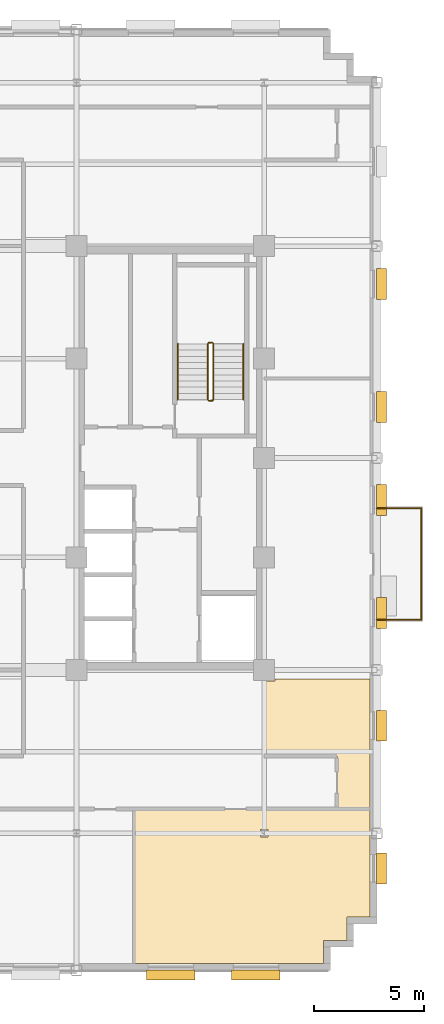
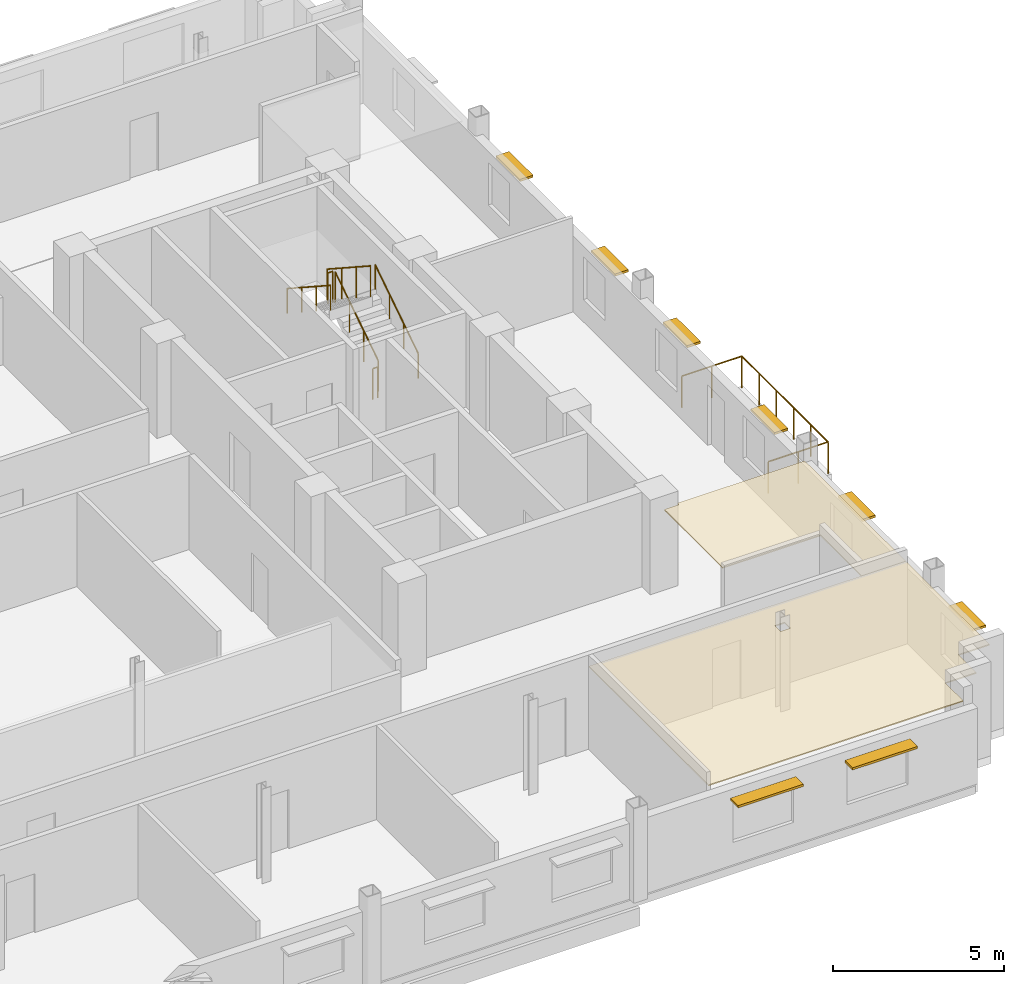
# One storey, part 14 of 15: 8 shading devices, 7 railings, 2 coverings.
"""IFC4 building model written with IfcOpenShell, lengths in metres."""

from ifc_helpers import new_model, si_unit, direction, frame, origin, origin_2d, place, context, subcontext, project, spatial, polyline, rectangle, circle, outline, extrude, source, transform, mapped, material, layer, layer_set, type_object, type_shapes, element, save


model = new_model("IFC4")

# Units and contexts
model_context = context("Model", 3, precision=1e-05, world=origin(), true_north=direction((0.0, 1.0)))
body_context = subcontext(model_context, "Body", "Model", "MODEL_VIEW")
ifc_project = project(units=[si_unit("LENGTHUNIT", "METRE"), si_unit("AREAUNIT", "SQUARE_METRE"), si_unit("VOLUMEUNIT", "CUBIC_METRE"), si_unit("PLANEANGLEUNIT", "RADIAN"), si_unit("MASSUNIT", "GRAM", prefix="KILO")], contexts=[model_context])

# Site, building, storey
site_placement = place(None, origin())
site = spatial("IfcSite", under=ifc_project, at=site_placement, CompositionType="ELEMENT")
building_placement = place(site_placement, origin())
building = spatial("IfcBuilding", under=site, at=building_placement, Name="Nuvemarco Arch Tower", CompositionType="ELEMENT")
storey_placement = place(building_placement, frame((0.0, 0.0, 198.199951171875)))
storey = spatial("IfcBuildingStorey", under=building, at=storey_placement, Name="L52", CompositionType="ELEMENT", Elevation=198.199951171875)

# Coverings
ifc_material_1 = material(Name="Mineral acoustic ceiling tile")
ifc_layer = layer(ifc_material_1, 0.0400390625, Name="COV-ACOUSTIC-CLG")
ifc_layer_set = layer_set([ifc_layer], Name="Mineral acoustic ceiling tile")
covering_type = type_object("IfcCoveringType", Name="COV-ACOUSTIC-CLG", PredefinedType="CEILING", material=ifc_layer_set)
covering_1_placement = place(storey_placement, frame((0.0, 0.0, 2.85009765625)))
element("IfcCovering", 1, at=covering_1_placement, inside=storey, type_object=covering_type, Name="L52 suspended acoustic ceiling 2", PredefinedType="CEILING", context=body_context, shape_type="SweptSolid", body=[
    extrude(outline(polyline([(17.5, -10.090087890625), (17.989990234375, -10.090087890625), (17.989990234375, -10.0), (22.2900390625, -10.0), (22.2900390625, -15.89990234375), (20.800048828125, -15.89990234375), (20.800048828125, -13.5), (17.5, -13.5), (17.5, -10.090087890625)])), origin(), (0.0, 0.0, 1.0), 0.0400390625),
])
covering_2_placement = place(storey_placement, frame((0.0, 0.0, 2.85009765625)))
element("IfcCovering", 2, at=covering_2_placement, inside=storey, type_object=covering_type, Name="L52 suspended acoustic ceiling 4", PredefinedType="CEILING", context=body_context, shape_type="SweptSolid", body=[
    extrude(outline(polyline([(20.18994140625, -22.889892578125), (11.60009765625, -22.889892578125), (11.60009765625, -15.89990234375), (20.800048828125, -15.89990234375), (22.2900390625, -15.89990234375), (22.2900390625, -20.7900390625), (21.239990234375, -20.7900390625), (21.239990234375, -21.840087890625), (20.18994140625, -21.840087890625), (20.18994140625, -22.889892578125)]), holes=[polyline([(17.669921875, -17.169921875), (17.669921875, -16.830078125), (17.330078125, -16.830078125), (17.330078125, -17.169921875), (17.669921875, -17.169921875)])]), origin(), (0.0, 0.0, 1.0), 0.0400390625),
])

# Railings
ifc_material_2 = material(Name="Brushed stainless steel handrail", Category="steel")
railing_type_1 = type_object("IfcRailingType", Name="RL-HANDRAIL-900", PredefinedType="HANDRAIL", material=ifc_material_2)
railing_1_placement = place(storey_placement, frame((16.550048828125, 2.64990234375, 0.1826171875)))
element("IfcRailing", 3, at=railing_1_placement, inside=storey, type_object=railing_type_1, Name="L52 ST-2 stair handrail 1", PredefinedType="HANDRAIL", context=body_context, shape_type="SweptSolid", body=[
    extrude(circle(Radius=0.02392578125, at=origin_2d()), frame((0.0, 0.0, 0.8759765625), z_axis=(0.0, 0.837786554691, 0.545997883492), x_axis=(-1.0, 0.0, 0.0)), (0.0, 0.0, 1.0), 3.008056640625),
    extrude(circle(Radius=0.02099609375, at=origin_2d()), origin(), (0.0, 0.0, 1.0), 0.851806640625),
    extrude(circle(Radius=0.02099609375, at=origin_2d()), frame((0.0, 0.840087890625, 0.54736328125)), (0.0, 0.0, 1.0), 0.851806640625),
    extrude(circle(Radius=0.02099609375, at=origin_2d()), frame((0.0, 1.679931640625, 1.094970703125)), (0.0, 0.0, 1.0), 0.851806640625),
    extrude(circle(Radius=0.02099609375, at=origin_2d()), frame((0.0, 2.52001953125, 1.642333984375)), (0.0, 0.0, 1.0), 0.851806640625),
])
railing_2_placement = place(storey_placement, frame((13.590087890625, 5.169921875, 2.007568359375)))
element("IfcRailing", 4, at=railing_2_placement, inside=storey, type_object=railing_type_1, Name="L52 ST-2 stair handrail 2", PredefinedType="HANDRAIL", context=body_context, shape_type="SweptSolid", body=[
    extrude(circle(Radius=0.02392578125, at=origin_2d()), frame((0.0, 0.0, 0.8759765625), z_axis=(0.0, -0.837749427056, 0.546054848405), x_axis=(1.0, 0.0, 0.0)), (0.0, 0.0, 1.0), 3.008056640625),
    extrude(circle(Radius=0.02099609375, at=origin_2d()), origin(), (0.0, 0.0, 1.0), 0.851806640625),
    extrude(circle(Radius=0.02099609375, at=origin_2d()), frame((0.0, -0.840087890625, 0.547607421875)), (0.0, 0.0, 1.0), 0.851806640625),
    extrude(circle(Radius=0.02099609375, at=origin_2d()), frame((0.0, -1.679931640625, 1.094970703125)), (0.0, 0.0, 1.0), 0.851806640625),
    extrude(circle(Radius=0.02099609375, at=origin_2d()), frame((0.0, -2.52001953125, 1.642578125)), (0.0, 0.0, 1.0), 0.851806640625),
])
ifc_material_3 = material(Name="Painted balustrade steel S355", Category="steel")
railing_type_2 = type_object("IfcRailingType", Name="RL-STAIR-GUARD", PredefinedType="GUARDRAIL", material=ifc_material_3)
railing_3_placement = place(storey_placement, frame((15.199951171875, 2.64990234375, 0.1826171875)))
element("IfcRailing", 5, at=railing_3_placement, inside=storey, type_object=railing_type_2, Name="L52 ST-2 stair guard 1", PredefinedType="GUARDRAIL", context=body_context, shape_type="SweptSolid", body=[
    extrude(circle(Radius=0.02392578125, at=origin_2d()), frame((0.0, 0.0, 1.09619140625), z_axis=(0.0, 0.837786554691, 0.545997883492), x_axis=(-1.0, 0.0, 0.0)), (0.0, 0.0, 1.0), 3.008056640625),
    extrude(circle(Radius=0.02099609375, at=origin_2d()), origin(), (0.0, 0.0, 1.0), 1.072021484375),
    extrude(circle(Radius=0.02099609375, at=origin_2d()), frame((0.0, 0.840087890625, 0.54736328125)), (0.0, 0.0, 1.0), 1.072021484375),
    extrude(circle(Radius=0.02099609375, at=origin_2d()), frame((0.0, 1.679931640625, 1.094970703125)), (0.0, 0.0, 1.0), 1.072021484375),
    extrude(circle(Radius=0.02099609375, at=origin_2d()), frame((0.0, 2.52001953125, 1.642333984375)), (0.0, 0.0, 1.0), 1.072021484375),
])
railing_4_placement = place(storey_placement, frame((15.14990234375, 5.219970703125, 1.824951171875)))
element("IfcRailing", 6, at=railing_4_placement, inside=storey, type_object=railing_type_2, Name="L52 ST-2 stair guard 2", PredefinedType="GUARDRAIL", context=body_context, shape_type="SweptSolid", body=[
    extrude(circle(Radius=0.02392578125, at=origin_2d()), frame((0.0, 0.0, 1.09619140625), z_axis=(-1.0, 0.0, 0.0), x_axis=(0.0, -1.0, 0.0)), (0.0, 0.0, 1.0), 0.159912109375),
    extrude(circle(Radius=0.02099609375, at=origin_2d()), origin(), (0.0, 0.0, 1.0), 1.072021484375),
    extrude(circle(Radius=0.02099609375, at=origin_2d()), frame((-0.159912109375, 0.0, 0.0)), (0.0, 0.0, 1.0), 1.072021484375),
])
railing_5_placement = place(storey_placement, frame((14.93994140625, 5.169921875, 2.007568359375)))
element("IfcRailing", 7, at=railing_5_placement, inside=storey, type_object=railing_type_2, Name="L52 ST-2 stair guard 3", PredefinedType="GUARDRAIL", context=body_context, shape_type="SweptSolid", body=[
    extrude(circle(Radius=0.02392578125, at=origin_2d()), frame((0.0, 0.0, 1.09619140625), z_axis=(0.0, -0.837749427056, 0.546054848405), x_axis=(1.0, 0.0, 0.0)), (0.0, 0.0, 1.0), 3.008056640625),
    extrude(circle(Radius=0.02099609375, at=origin_2d()), origin(), (0.0, 0.0, 1.0), 1.072021484375),
    extrude(circle(Radius=0.02099609375, at=origin_2d()), frame((0.0, -0.840087890625, 0.547607421875)), (0.0, 0.0, 1.0), 1.072021484375),
    extrude(circle(Radius=0.02099609375, at=origin_2d()), frame((0.0, -1.679931640625, 1.094970703125)), (0.0, 0.0, 1.0), 1.072021484375),
    extrude(circle(Radius=0.02099609375, at=origin_2d()), frame((0.0, -2.52001953125, 1.642578125)), (0.0, 0.0, 1.0), 1.072021484375),
])
railing_6_placement = place(storey_placement, frame((15.14990234375, 2.60009765625, 0.0)))
element("IfcRailing", 8, at=railing_6_placement, inside=storey, type_object=railing_type_2, Name="L52 ST-2 stair guard 4", PredefinedType="GUARDRAIL", context=body_context, shape_type="SweptSolid", body=[
    extrude(circle(Radius=0.02392578125, at=origin_2d()), frame((0.0, 0.0, 1.09619140625), z_axis=(-1.0, 0.0, 0.0), x_axis=(0.0, -1.0, 0.0)), (0.0, 0.0, 1.0), 0.159912109375),
    extrude(circle(Radius=0.02099609375, at=origin_2d()), origin(), (0.0, 0.0, 1.0), 1.072021484375),
    extrude(circle(Radius=0.02099609375, at=origin_2d()), frame((-0.159912109375, 0.0, 0.0)), (0.0, 0.0, 1.0), 1.072021484375),
])
ifc_material_4 = material(Name="Dark anodised balustrade steel S355", Category="steel")
railing_type_3 = type_object("IfcRailingType", Name="RL-TERR-GUARD", PredefinedType="BALUSTRADE", material=ifc_material_4)
railing_7_placement = place(storey_placement, frame((22.60009765625, -7.320068359375, 0.0)))
element("IfcRailing", 9, at=railing_7_placement, inside=storey, type_object=railing_type_3, Name="L52 tree balcony perimeter balustrade guard", PredefinedType="BALUSTRADE", context=body_context, shape_type="SweptSolid", body=[
    extrude(circle(Radius=0.02392578125, at=origin_2d()), frame((0.0, 0.0, 1.1259765625), z_axis=(1.0, 0.0, 0.0), x_axis=(0.0, 1.0, 0.0)), (0.0, 0.0, 1.0), 2.02001953125),
    extrude(circle(Radius=0.02392578125, at=origin_2d()), frame((2.02001953125, 0.0, 1.1259765625), z_axis=(0.0, 1.0, 0.0), x_axis=(-1.0, 0.0, 0.0)), (0.0, 0.0, 1.0), 5.0400390625),
    extrude(circle(Radius=0.02392578125, at=origin_2d()), frame((2.02001953125, 5.0400390625, 1.1259765625), z_axis=(-1.0, 0.0, 0.0), x_axis=(0.0, -1.0, 0.0)), (0.0, 0.0, 1.0), 2.02001953125),
    extrude(circle(Radius=0.02099609375, at=origin_2d()), origin(), (0.0, 0.0, 1.0), 1.101806640625),
    extrude(circle(Radius=0.02099609375, at=origin_2d()), frame((1.010009765625, 0.0, 0.0)), (0.0, 0.0, 1.0), 1.101806640625),
    extrude(circle(Radius=0.02099609375, at=origin_2d()), frame((2.02001953125, 0.0, 0.0)), (0.0, 0.0, 1.0), 1.101806640625),
    extrude(circle(Radius=0.02099609375, at=origin_2d()), frame((2.02001953125, 1.008056640625, 0.0)), (0.0, 0.0, 1.0), 1.101806640625),
    extrude(circle(Radius=0.02099609375, at=origin_2d()), frame((2.02001953125, 2.01611328125, 0.0)), (0.0, 0.0, 1.0), 1.101806640625),
    extrude(circle(Radius=0.02099609375, at=origin_2d()), frame((2.02001953125, 3.02392578125, 0.0)), (0.0, 0.0, 1.0), 1.101806640625),
    extrude(circle(Radius=0.02099609375, at=origin_2d()), frame((2.02001953125, 4.031982421875, 0.0)), (0.0, 0.0, 1.0), 1.101806640625),
    extrude(circle(Radius=0.02099609375, at=origin_2d()), frame((2.02001953125, 5.0400390625, 0.0)), (0.0, 0.0, 1.0), 1.101806640625),
    extrude(circle(Radius=0.02099609375, at=origin_2d()), frame((1.010009765625, 5.0400390625, 0.0)), (0.0, 0.0, 1.0), 1.101806640625),
    extrude(circle(Radius=0.02099609375, at=origin_2d()), frame((0.0, 5.0400390625, 0.0)), (0.0, 0.0, 1.0), 1.101806640625),
])

# Shading devices
ifc_material_5 = material(Name="Anodised aluminium 6063-T6", Category="aluminium")
shading_device_type_1 = type_object("IfcShadingDeviceType", Name="SHD-BRISE-SOLEIL", PredefinedType="USERDEFINED", material=ifc_material_5)
shared_shape_1 = source(origin(), body_context, "Body", "SweptSolid", [
    extrude(rectangle(XDim=2.199951171875, YDim=0.449951171875, at=origin_2d()), origin(), (0.0, 0.0, 1.0), 0.080078125),
])
type_shapes(shading_device_type_1, [shared_shape_1])
for number, where, z_axis, x_axis, name in (
    (10, (13.2666015625, -23.4150390625, 2.324951171875), (0.0, 0.0, 1.0), (1.0, 0.0, 0.0), "L52 horizontal brise-soleil sunshade"),
    (11, (17.122314453125, -23.4150390625, 2.324951171875), (0.0, 0.0, 1.0), (1.0, 0.0, 0.0), "L52 horizontal brise-soleil sunshade"),
):
    element("IfcShadingDevice", number, at=place(storey_placement, frame(where, z_axis=z_axis, x_axis=x_axis)), inside=storey, type_object=shading_device_type_1, Name=name, ObjectType="SUNSHADE", PredefinedType="USERDEFINED", context=body_context, shape_type="MappedRepresentation", body=[
        mapped(shared_shape_1, transform((0.0, 0.0, 0.0), scale=1.0)),
    ])
shading_device_type_2 = type_object("IfcShadingDeviceType", Name="SHD-BRISE-NARROW", PredefinedType="USERDEFINED", material=ifc_material_5)
shared_shape_2 = source(origin(), body_context, "Body", "SweptSolid", [
    extrude(rectangle(XDim=1.39990234375, YDim=0.449951171875, at=origin_2d()), origin(), (0.0, 0.0, 1.0), 0.080078125),
])
type_shapes(shading_device_type_2, [shared_shape_2])
for number, where, z_axis, x_axis, name in (
    (12, (22.81494140625, -18.587646484375, 2.324951171875), (0.0, 0.0, 1.0), (0.0, 1.0, 0.0), "L52 horizontal brise-soleil sunshade"),
    (13, (22.81494140625, -12.125, 2.324951171875), (0.0, 0.0, 1.0), (0.0, 1.0, 0.0), "L52 horizontal brise-soleil sunshade"),
    (14, (22.81494140625, -7.0126953125, 2.324951171875), (0.0, 0.0, 1.0), (0.0, 1.0, 0.0), "L52 horizontal brise-soleil sunshade"),
    (15, (22.81494140625, -1.89990234375, 2.324951171875), (0.0, 0.0, 1.0), (0.0, 1.0, 0.0), "L52 horizontal brise-soleil sunshade"),
    (16, (22.81494140625, 2.3125, 2.324951171875), (0.0, 0.0, 1.0), (0.0, 1.0, 0.0), "L52 horizontal brise-soleil sunshade"),
    (17, (22.81494140625, 7.875, 2.324951171875), (0.0, 0.0, 1.0), (0.0, 1.0, 0.0), "L52 horizontal brise-soleil sunshade"),
):
    element("IfcShadingDevice", number, at=place(storey_placement, frame(where, z_axis=z_axis, x_axis=x_axis)), inside=storey, type_object=shading_device_type_2, Name=name, ObjectType="SUNSHADE", PredefinedType="USERDEFINED", context=body_context, shape_type="MappedRepresentation", body=[
        mapped(shared_shape_2, transform((0.0, 0.0, 0.0), scale=1.0)),
    ])

save(model, "model.ifc")
